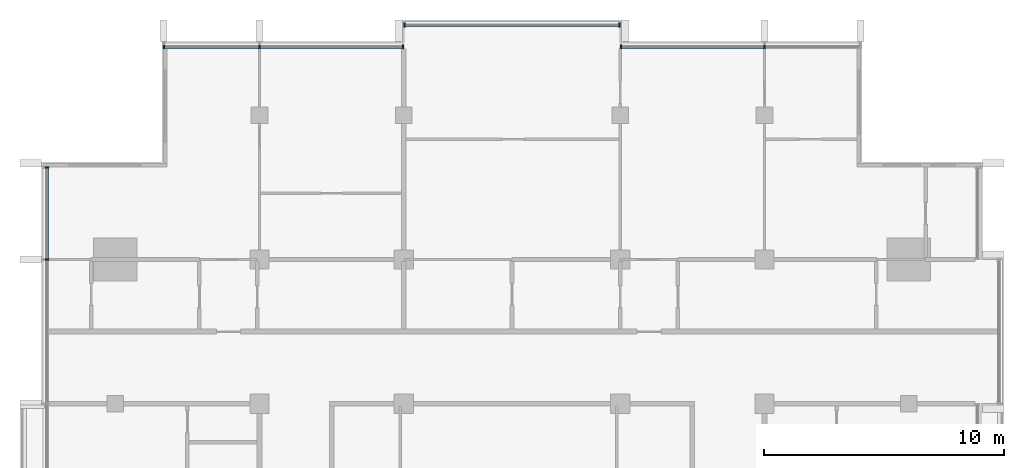
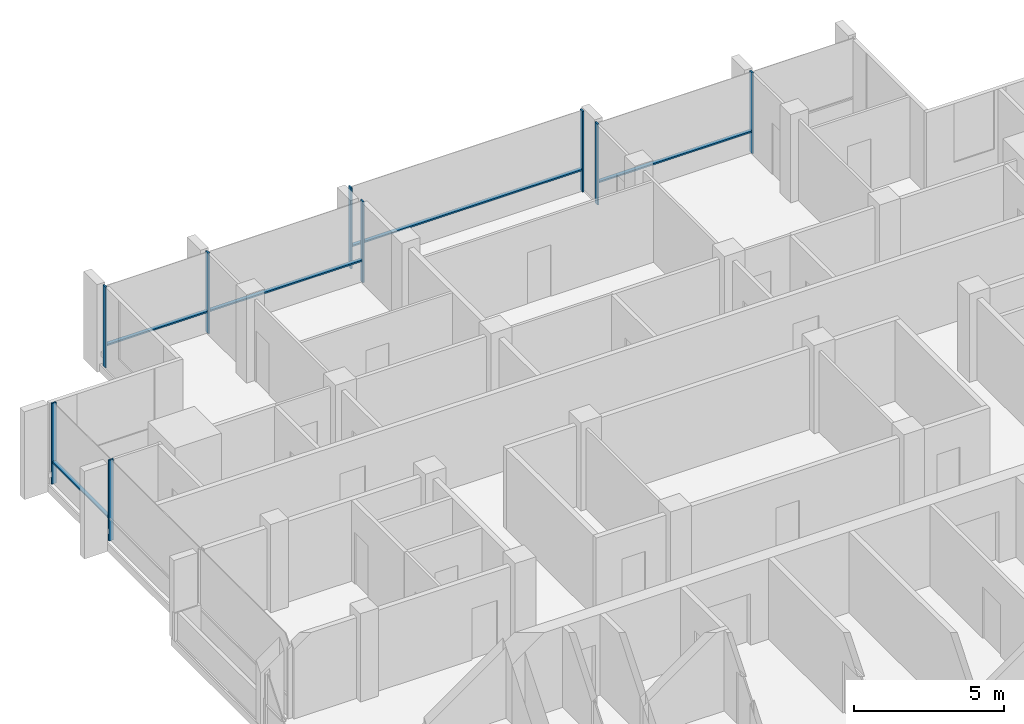
# One storey, part 4 of 16: 14 members, 4 elements without a shape of their own.
"""IFC4 building model written with IfcOpenShell, lengths in metres."""

from ifc_helpers import new_model, si_unit, direction, frame, origin, origin_2d, place, context, subcontext, project, spatial, rectangle, extrude, material, material_profile, profile_set, type_object, element, aggregate, save


model = new_model("IFC4")

# Units and contexts
model_context = context("Model", 3, precision=1e-05, world=origin(), true_north=direction((0.0, 1.0)))
body_context = subcontext(model_context, "Body", "Model", "MODEL_VIEW")
ifc_project = project(units=[si_unit("LENGTHUNIT", "METRE"), si_unit("AREAUNIT", "SQUARE_METRE"), si_unit("VOLUMEUNIT", "CUBIC_METRE"), si_unit("PLANEANGLEUNIT", "RADIAN"), si_unit("MASSUNIT", "GRAM", prefix="KILO")], contexts=[model_context])

# Site, building, storey
site_placement = place(None, origin())
site = spatial("IfcSite", under=ifc_project, at=site_placement, CompositionType="ELEMENT")
building_placement = place(site_placement, origin())
building = spatial("IfcBuilding", under=site, at=building_placement, Name="Finial Court Residences", CompositionType="ELEMENT")
storey_placement = place(building_placement, frame((0.0, 0.0, 287.89990234375)))
storey = spatial("IfcBuildingStorey", under=building, at=storey_placement, Name="L73", CompositionType="ELEMENT", Elevation=287.89990234375)

# Curtain wall, members
ifc_material = material(Name="Bronze anodised aluminium", Category="aluminium")
curtain_wall_type = type_object("IfcCurtainWallType", Name="Unitised curtain wall, upper zones", PredefinedType="NOTDEFINED", material=ifc_material)
curtain_wall_1_placement = place(storey_placement, origin())
curtain_wall_1 = element("IfcCurtainWall", 1, at=curtain_wall_1_placement, inside=storey, type_object=curtain_wall_type, Name="E-L73-CW-N1", PredefinedType="NOTDEFINED")
ifc_material_profile_1 = material_profile(ifc_material, rectangle(XDim=0.175048828125, YDim=0.06005859375, at=origin_2d()), Name="CW2 mullion 60 x 175")
ifc_profile_set_1 = profile_set([ifc_material_profile_1], Name="Bronze anodised aluminium")
member_type_1 = type_object("IfcMemberType", Name="CW2 mullion 60 x 175", PredefinedType="MULLION", material=ifc_profile_set_1)
member_1_placement = place(storey_placement, frame((-14.469970703125, 16.35009765625, 0.0), z_axis=(0.0, 0.0, 1.0), x_axis=(0.0, 1.0, 0.0)))
member_1 = element("IfcMember", 2, at=member_1_placement, type_object=member_type_1, Name="CW2 mullion 1", PredefinedType="MULLION", context=body_context, shape_type="SweptSolid", body=[
    extrude(rectangle(XDim=0.175048828125, YDim=0.06005859375, at=origin_2d()), origin(), (0.0, 0.0, 1.0), 3.300048828125),
])
member_2_placement = place(storey_placement, frame((-10.5, 16.35009765625, 0.0), z_axis=(0.0, 0.0, 1.0), x_axis=(0.0, 1.0, 0.0)))
member_2 = element("IfcMember", 3, at=member_2_placement, type_object=member_type_1, Name="CW2 mullion 2", PredefinedType="MULLION", context=body_context, shape_type="SweptSolid", body=[
    extrude(rectangle(XDim=0.175048828125, YDim=0.06005859375, at=origin_2d()), origin(), (0.0, 0.0, 1.0), 3.300048828125),
])
member_3_placement = place(storey_placement, frame((-4.530029296875, 16.35009765625, 0.0), z_axis=(0.0, 0.0, 1.0), x_axis=(0.0, 1.0, 0.0)))
member_3 = element("IfcMember", 4, at=member_3_placement, type_object=member_type_1, Name="CW2 mullion 3", PredefinedType="MULLION", context=body_context, shape_type="SweptSolid", body=[
    extrude(rectangle(XDim=0.175048828125, YDim=0.06005859375, at=origin_2d()), origin(), (0.0, 0.0, 1.0), 3.300048828125),
])

curtain_wall_2_placement = place(storey_placement, origin())
curtain_wall_2 = element("IfcCurtainWall", 5, at=curtain_wall_2_placement, inside=storey, type_object=curtain_wall_type, Name="E-L73-CW-N2", PredefinedType="NOTDEFINED")
member_4_placement = place(storey_placement, frame((-4.469970703125, 17.25, 0.0), z_axis=(0.0, 0.0, 1.0), x_axis=(0.0, 1.0, 0.0)))
member_4 = element("IfcMember", 6, at=member_4_placement, type_object=member_type_1, Name="CW2 mullion 1", PredefinedType="MULLION", context=body_context, shape_type="SweptSolid", body=[
    extrude(rectangle(XDim=0.175048828125, YDim=0.06005859375, at=origin_2d()), origin(), (0.0, 0.0, 1.0), 3.300048828125),
])
member_5_placement = place(storey_placement, frame((4.469970703125, 17.25, 0.0), z_axis=(0.0, 0.0, 1.0), x_axis=(0.0, 1.0, 0.0)))
member_5 = element("IfcMember", 7, at=member_5_placement, type_object=member_type_1, Name="CW2 mullion 2", PredefinedType="MULLION", context=body_context, shape_type="SweptSolid", body=[
    extrude(rectangle(XDim=0.175048828125, YDim=0.06005859375, at=origin_2d()), origin(), (0.0, 0.0, 1.0), 3.300048828125),
])

curtain_wall_3_placement = place(storey_placement, origin())
curtain_wall_3 = element("IfcCurtainWall", 8, at=curtain_wall_3_placement, inside=storey, type_object=curtain_wall_type, Name="E-L73-CW-N3", PredefinedType="NOTDEFINED")
member_6_placement = place(storey_placement, frame((4.530029296875, 16.35009765625, 0.0), z_axis=(0.0, 0.0, 1.0), x_axis=(0.0, 1.0, 0.0)))
member_6 = element("IfcMember", 9, at=member_6_placement, type_object=member_type_1, Name="CW2 mullion 1", PredefinedType="MULLION", context=body_context, shape_type="SweptSolid", body=[
    extrude(rectangle(XDim=0.175048828125, YDim=0.06005859375, at=origin_2d()), origin(), (0.0, 0.0, 1.0), 3.300048828125),
])
member_7_placement = place(storey_placement, frame((10.5, 16.35009765625, 0.0), z_axis=(0.0, 0.0, 1.0), x_axis=(0.0, 1.0, 0.0)))
member_7 = element("IfcMember", 10, at=member_7_placement, type_object=member_type_1, Name="CW2 mullion 2", PredefinedType="MULLION", context=body_context, shape_type="SweptSolid", body=[
    extrude(rectangle(XDim=0.175048828125, YDim=0.06005859375, at=origin_2d()), origin(), (0.0, 0.0, 1.0), 3.300048828125),
])

curtain_wall_4_placement = place(storey_placement, origin())
curtain_wall_4 = element("IfcCurtainWall", 11, at=curtain_wall_4_placement, inside=storey, type_object=curtain_wall_type, Name="E-L73-CW-W11", PredefinedType="NOTDEFINED")
member_8_placement = place(storey_placement, frame((-19.35009765625, 7.5, 0.0), z_axis=(0.0, 0.0, 1.0), x_axis=(-1.0, 0.0, 0.0)))
member_8 = element("IfcMember", 12, at=member_8_placement, type_object=member_type_1, Name="CW2 mullion 3", PredefinedType="MULLION", context=body_context, shape_type="SweptSolid", body=[
    extrude(rectangle(XDim=0.175048828125, YDim=0.06005859375, at=origin_2d()), origin(), (0.0, 0.0, 1.0), 3.300048828125),
])
member_9_placement = place(storey_placement, frame((-19.35009765625, 11.320068359375, 0.0), z_axis=(0.0, 0.0, 1.0), x_axis=(-1.0, 0.0, 0.0)))
member_9 = element("IfcMember", 13, at=member_9_placement, type_object=member_type_1, Name="CW2 mullion 4", PredefinedType="MULLION", context=body_context, shape_type="SweptSolid", body=[
    extrude(rectangle(XDim=0.175048828125, YDim=0.06005859375, at=origin_2d()), origin(), (0.0, 0.0, 1.0), 3.300048828125),
])

# Member
ifc_material_profile_2 = material_profile(ifc_material, rectangle(XDim=0.139892578125, YDim=0.06005859375, at=origin_2d()), Name="CW2 transom 60 x 140")
ifc_profile_set_2 = profile_set([ifc_material_profile_2], Name="Bronze anodised aluminium")
member_type_2 = type_object("IfcMemberType", Name="CW2 transom 60 x 140", PredefinedType="USERDEFINED", material=ifc_profile_set_2)
member_10_placement = place(storey_placement, frame((-14.43994140625, 16.35009765625, 0.900146484375), z_axis=(1.0, 0.0, 0.0), x_axis=(0.0, 1.0, 0.0)))
member_10 = element("IfcMember", 14, at=member_10_placement, type_object=member_type_2, Name="CW2 transom 1.1", ObjectType="TRANSOM", PredefinedType="USERDEFINED", context=body_context, shape_type="SweptSolid", body=[
    extrude(rectangle(XDim=0.139892578125, YDim=0.06005859375, at=origin_2d()), origin(), (0.0, 0.0, 1.0), 3.909912109375),
])

member_11_placement = place(storey_placement, frame((-10.469970703125, 16.35009765625, 0.900146484375), z_axis=(1.0, 0.0, 0.0), x_axis=(0.0, 1.0, 0.0)))
member_11 = element("IfcMember", 15, at=member_11_placement, type_object=member_type_2, Name="CW2 transom 2.1", ObjectType="TRANSOM", PredefinedType="USERDEFINED", context=body_context, shape_type="SweptSolid", body=[
    extrude(rectangle(XDim=0.139892578125, YDim=0.06005859375, at=origin_2d()), origin(), (0.0, 0.0, 1.0), 5.909912109375),
])

aggregate(curtain_wall_1, [member_1, member_2, member_3, member_10, member_11])

member_12_placement = place(storey_placement, frame((-4.43994140625, 17.25, 0.900146484375), z_axis=(1.0, 0.0, 0.0), x_axis=(0.0, 1.0, 0.0)))
member_12 = element("IfcMember", 16, at=member_12_placement, type_object=member_type_2, Name="CW2 transom 1.1", ObjectType="TRANSOM", PredefinedType="USERDEFINED", context=body_context, shape_type="SweptSolid", body=[
    extrude(rectangle(XDim=0.139892578125, YDim=0.06005859375, at=origin_2d()), origin(), (0.0, 0.0, 1.0), 8.8798828125),
])

aggregate(curtain_wall_2, [member_4, member_5, member_12])

member_13_placement = place(storey_placement, frame((4.56005859375, 16.35009765625, 0.900146484375), z_axis=(1.0, 0.0, 0.0), x_axis=(0.0, 1.0, 0.0)))
member_13 = element("IfcMember", 17, at=member_13_placement, type_object=member_type_2, Name="CW2 transom 1.1", ObjectType="TRANSOM", PredefinedType="USERDEFINED", context=body_context, shape_type="SweptSolid", body=[
    extrude(rectangle(XDim=0.139892578125, YDim=0.06005859375, at=origin_2d()), origin(), (0.0, 0.0, 1.0), 5.909912109375),
])

aggregate(curtain_wall_3, [member_6, member_7, member_13])

member_14_placement = place(storey_placement, frame((-19.35009765625, 7.530029296875, 0.900146484375), z_axis=(0.0, 1.0, 0.0), x_axis=(-1.0, 0.0, 0.0)))
member_14 = element("IfcMember", 18, at=member_14_placement, type_object=member_type_2, Name="CW2 transom 3.1", ObjectType="TRANSOM", PredefinedType="USERDEFINED", context=body_context, shape_type="SweptSolid", body=[
    extrude(rectangle(XDim=0.139892578125, YDim=0.06005859375, at=origin_2d()), origin(), (0.0, 0.0, 1.0), 3.760009765625),
])

aggregate(curtain_wall_4, [member_8, member_9, member_14])

save(model, "model.ifc")
